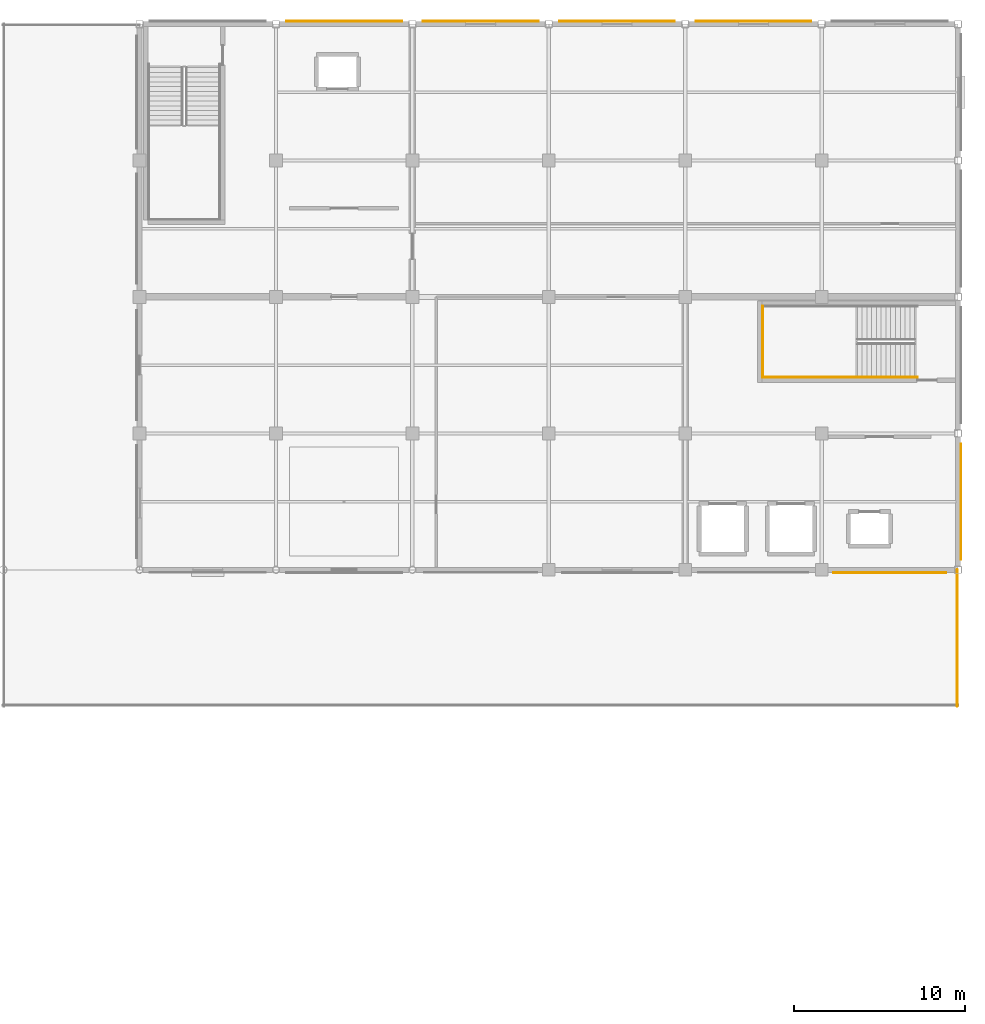
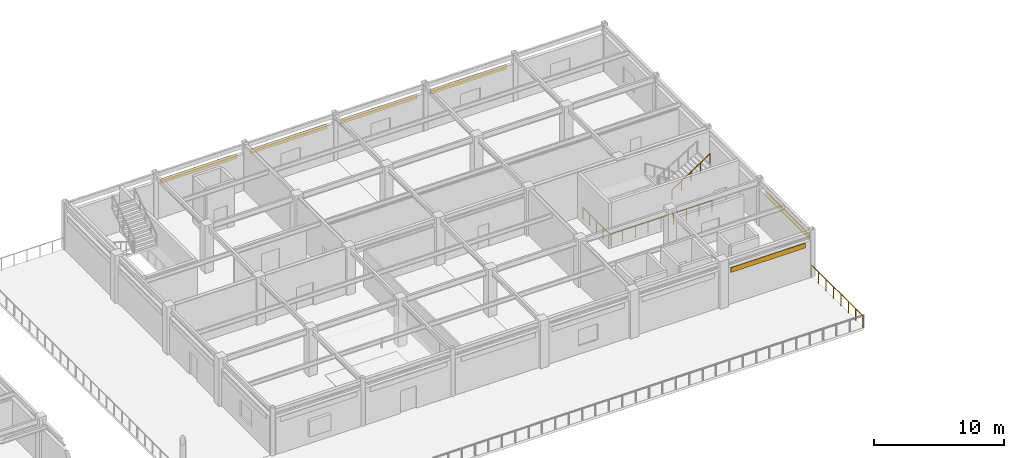
# One storey, part 73 of 75: 6 coverings, 4 railings.
"""IFC4 building model written with IfcOpenShell, lengths in metres."""

from ifc_helpers import new_model, si_unit, direction, frame, origin, origin_2d, place, context, subcontext, project, spatial, rectangle, circle, extrude, material, layer, layer_set, type_object, element, save


model = new_model("IFC4")

# Units and contexts
model_context = context("Model", 3, precision=1e-05, world=origin(), true_north=direction((0.0, 1.0)))
body_context = subcontext(model_context, "Body", "Model", "MODEL_VIEW")
ifc_project = project(units=[si_unit("LENGTHUNIT", "METRE"), si_unit("AREAUNIT", "SQUARE_METRE"), si_unit("VOLUMEUNIT", "CUBIC_METRE"), si_unit("PLANEANGLEUNIT", "RADIAN"), si_unit("MASSUNIT", "GRAM", prefix="KILO")], contexts=[model_context])

# Site, building, storey
site_placement = place(None, origin())
site = spatial("IfcSite", under=ifc_project, at=site_placement, CompositionType="ELEMENT")
building_placement = place(site_placement, origin())
building = spatial("IfcBuilding", under=site, at=building_placement, Name="Solmirada Galleria", CompositionType="ELEMENT")
storey_placement = place(building_placement, frame((0.0, 0.0, 19.39990234375)))
storey = spatial("IfcBuildingStorey", under=building, at=storey_placement, Name="L04", CompositionType="ELEMENT", Elevation=19.39990234375)

# Coverings
ifc_material_1 = material(Name="Limestone cladding panels", Category="masonry")
ifc_layer_1 = layer(ifc_material_1, 0.044921875)
ifc_layer_set_1 = layer_set([ifc_layer_1], Name="Limestone cladding panels")
covering_type_1 = type_object("IfcCoveringType", Name="COV-CLAD-LIME", PredefinedType="CLADDING", material=ifc_layer_set_1)
covering_1_placement = place(storey_placement, frame((164.0, 120.16748046875, 2.990234375), z_axis=(0.0, 0.0, 1.0), x_axis=(1.0, 0.0, 0.0)))
element("IfcCovering", 1, at=covering_1_placement, inside=storey, type_object=covering_type_1, Name="Postmodern facade cladding L04-290", PredefinedType="CLADDING", context=body_context, shape_type="SweptSolid", body=[
    extrude(rectangle(XDim=6.7939453125, YDim=0.044921875, at=origin_2d()), origin(), (0.0, 0.0, 1.0), 0.4599609375),
])
covering_2_placement = place(storey_placement, frame((172.0, 87.83251953125, 2.990234375), z_axis=(0.0, 0.0, 1.0), x_axis=(-1.0, 0.0, 0.0)))
element("IfcCovering", 2, at=covering_2_placement, inside=storey, type_object=covering_type_1, Name="Postmodern facade cladding L04-296", PredefinedType="CLADDING", context=body_context, shape_type="SweptSolid", body=[
    extrude(rectangle(XDim=6.6220703125, YDim=0.044921875, at=origin_2d()), origin(), (0.0, 0.0, 1.0), 0.4599609375),
])
covering_3_placement = place(storey_placement, frame((148.0, 120.16748046875, 2.990234375), z_axis=(0.0, 0.0, 1.0), x_axis=(1.0, 0.0, 0.0)))
element("IfcCovering", 3, at=covering_3_placement, inside=storey, type_object=covering_type_1, Name="Postmodern facade cladding L04-308", PredefinedType="CLADDING", context=body_context, shape_type="SweptSolid", body=[
    extrude(rectangle(XDim=6.7939453125, YDim=0.044921875, at=origin_2d()), origin(), (0.0, 0.0, 1.0), 0.4599609375),
])
ifc_material_2 = material(Name="Glazed terracotta facade panels", Category="masonry")
ifc_layer_2 = layer(ifc_material_2, 0.0400390625)
ifc_layer_set_2 = layer_set([ifc_layer_2], Name="Glazed terracotta facade panels")
covering_type_2 = type_object("IfcCoveringType", Name="COV-CLAD-TERRA", PredefinedType="CLADDING", material=ifc_layer_set_2)
for number, where, z_axis, x_axis, name in (
    (4, (156.0, 120.1650390625, 2.990234375), (0.0, 0.0, 1.0), (1.0, 0.0, 0.0), "Postmodern facade cladding L04-289"),
    (5, (176.1650390625, 92.0, 2.990234375), (0.0, 0.0, 1.0), (0.0, -1.0, 0.0), "Postmodern facade cladding L04-295"),
    (6, (140.0, 120.1650390625, 2.990234375), (0.0, 0.0, 1.0), (1.0, 0.0, 0.0), "Postmodern facade cladding L04-307"),
):
    element("IfcCovering", number, at=place(storey_placement, frame(where, z_axis=z_axis, x_axis=x_axis)), inside=storey, type_object=covering_type_2, Name=name, PredefinedType="CLADDING", context=body_context, shape_type="SweptSolid", body=[
        extrude(rectangle(XDim=6.7939453125, YDim=0.0400390625, at=origin_2d()), origin(), (0.0, 0.0, 1.0), 0.4599609375),
    ])

# Railings
ifc_material_3 = material(Name="Painted steel tubular railing", Category="steel")
railing_type_1 = type_object("IfcRailingType", Name="RAIL-STAIR-GUARD", PredefinedType="GUARDRAIL", material=ifc_material_3)
railing_1_placement = place(storey_placement, frame((173.6201171875, 99.2900390625, 0.0)))
element("IfcRailing", 7, at=railing_1_placement, inside=storey, type_object=railing_type_1, Name="Stair ST4 well edge guard L04-1", PredefinedType="GUARDRAIL", context=body_context, shape_type="SweptSolid", body=[
    extrude(circle(Radius=0.02392578125, at=origin_2d()), frame((0.0, 0.0, 1.09619140625), z_axis=(-1.0, 0.0, 0.0), x_axis=(0.0, -1.0, 0.0)), (0.0, 0.0, 1.0), 9.080078125),
    extrude(circle(Radius=0.02099609375, at=origin_2d()), origin(), (0.0, 0.0, 1.0), 1.068115234375),
    extrude(circle(Radius=0.02099609375, at=origin_2d()), frame((-1.135009765625, 0.0, 0.0)), (0.0, 0.0, 1.0), 1.068115234375),
    extrude(circle(Radius=0.02099609375, at=origin_2d()), frame((-2.27001953125, 0.0, 0.0)), (0.0, 0.0, 1.0), 1.068115234375),
    extrude(circle(Radius=0.02099609375, at=origin_2d()), frame((-3.405029296875, 0.0, 0.0)), (0.0, 0.0, 1.0), 1.068115234375),
    extrude(circle(Radius=0.02099609375, at=origin_2d()), frame((-4.5400390625, 0.0, 0.0)), (0.0, 0.0, 1.0), 1.068115234375),
    extrude(circle(Radius=0.02099609375, at=origin_2d()), frame((-5.675048828125, 0.0, 0.0)), (0.0, 0.0, 1.0), 1.068115234375),
    extrude(circle(Radius=0.02099609375, at=origin_2d()), frame((-6.81005859375, 0.0, 0.0)), (0.0, 0.0, 1.0), 1.068115234375),
    extrude(circle(Radius=0.02099609375, at=origin_2d()), frame((-7.945068359375, 0.0, 0.0)), (0.0, 0.0, 1.0), 1.068115234375),
    extrude(circle(Radius=0.02099609375, at=origin_2d()), frame((-9.080078125, 0.0, 0.0)), (0.0, 0.0, 1.0), 1.068115234375),
])
railing_2_placement = place(storey_placement, frame((164.5400390625, 99.2900390625, 0.0)))
element("IfcRailing", 8, at=railing_2_placement, inside=storey, type_object=railing_type_1, Name="Stair ST4 well edge guard L04-2", PredefinedType="GUARDRAIL", context=body_context, shape_type="SweptSolid", body=[
    extrude(circle(Radius=0.02392578125, at=origin_2d()), frame((0.0, 0.0, 1.09619140625), z_axis=(0.0, 1.0, 0.0), x_axis=(-1.0, 0.0, 0.0)), (0.0, 0.0, 1.0), 4.169921875),
    extrude(circle(Radius=0.02099609375, at=origin_2d()), origin(), (0.0, 0.0, 1.0), 1.068115234375),
    extrude(circle(Radius=0.02099609375, at=origin_2d()), frame((0.0, 1.04248046875, 0.0)), (0.0, 0.0, 1.0), 1.068115234375),
    extrude(circle(Radius=0.02099609375, at=origin_2d()), frame((0.0, 2.0849609375, 0.0)), (0.0, 0.0, 1.0), 1.068115234375),
    extrude(circle(Radius=0.02099609375, at=origin_2d()), frame((0.0, 3.12744140625, 0.0)), (0.0, 0.0, 1.0), 1.068115234375),
    extrude(circle(Radius=0.02099609375, at=origin_2d()), frame((0.0, 4.169921875, 0.0)), (0.0, 0.0, 1.0), 1.068115234375),
])
railing_type_2 = type_object("IfcRailingType", Name="RAIL-STAIR-HAND", PredefinedType="HANDRAIL", material=ifc_material_3)
railing_3_placement = place(storey_placement, frame((170.090087890625, 99.300048828125, 2.423095703125)))
element("IfcRailing", 9, at=railing_3_placement, inside=storey, type_object=railing_type_2, Name="L04 ST4 stair handrail 2", PredefinedType="HANDRAIL", context=body_context, shape_type="SweptSolid", body=[
    extrude(circle(Radius=0.02392578125, at=origin_2d()), frame((0.0, 0.0, 0.8759765625), z_axis=(0.830896709279, 0.0, 0.556426687452), x_axis=(0.0, 1.0, 0.0)), (0.0, 0.0, 1.0), 4.043701171875),
    extrude(circle(Radius=0.02099609375, at=origin_2d()), origin(), (0.0, 0.0, 1.0), 0.847900390625),
    extrude(circle(Radius=0.02099609375, at=origin_2d()), frame((0.83984375, 0.0, 0.5625)), (0.0, 0.0, 1.0), 0.847900390625),
    extrude(circle(Radius=0.02099609375, at=origin_2d()), frame((1.679931640625, 0.0, 1.125)), (0.0, 0.0, 1.0), 0.847900390625),
    extrude(circle(Radius=0.02099609375, at=origin_2d()), frame((2.52001953125, 0.0, 1.6875)), (0.0, 0.0, 1.0), 0.847900390625),
    extrude(circle(Radius=0.02099609375, at=origin_2d()), frame((3.35986328125, 0.0, 2.25)), (0.0, 0.0, 1.0), 0.847900390625),
])
ifc_material_4 = material(Name="Painted galvanized steel balustrade", Category="steel")
railing_type_3 = type_object("IfcRailingType", Name="RAIL-TERR-1100", PredefinedType="GUARDRAIL", material=ifc_material_4)
railing_4_placement = place(storey_placement, frame((175.949951171875, 80.0, 0.0)))
element("IfcRailing", 10, at=railing_4_placement, inside=storey, type_object=railing_type_3, Name="Terrace guardrail L04-TERR-WING1 E2.1", PredefinedType="GUARDRAIL", context=body_context, shape_type="SweptSolid", body=[
    extrude(circle(Radius=0.02392578125, at=origin_2d()), frame((0.0, 0.0, 1.09619140625), z_axis=(0.0, 1.0, 0.0), x_axis=(-1.0, 0.0, 0.0)), (0.0, 0.0, 1.0), 8.0),
    extrude(circle(Radius=0.02099609375, at=origin_2d()), origin(), (0.0, 0.0, 1.0), 1.068115234375),
    extrude(circle(Radius=0.02099609375, at=origin_2d()), frame((0.0, 1.142822265625, 0.0)), (0.0, 0.0, 1.0), 1.068115234375),
    extrude(circle(Radius=0.02099609375, at=origin_2d()), frame((0.0, 2.28564453125, 0.0)), (0.0, 0.0, 1.0), 1.068115234375),
    extrude(circle(Radius=0.02099609375, at=origin_2d()), frame((0.0, 3.428466796875, 0.0)), (0.0, 0.0, 1.0), 1.068115234375),
    extrude(circle(Radius=0.02099609375, at=origin_2d()), frame((0.0, 4.571533203125, 0.0)), (0.0, 0.0, 1.0), 1.068115234375),
    extrude(circle(Radius=0.02099609375, at=origin_2d()), frame((0.0, 5.71435546875, 0.0)), (0.0, 0.0, 1.0), 1.068115234375),
    extrude(circle(Radius=0.02099609375, at=origin_2d()), frame((0.0, 6.857177734375, 0.0)), (0.0, 0.0, 1.0), 1.068115234375),
    extrude(circle(Radius=0.02099609375, at=origin_2d()), frame((0.0, 8.0, 0.0)), (0.0, 0.0, 1.0), 1.068115234375),
])

save(model, "model.ifc")
